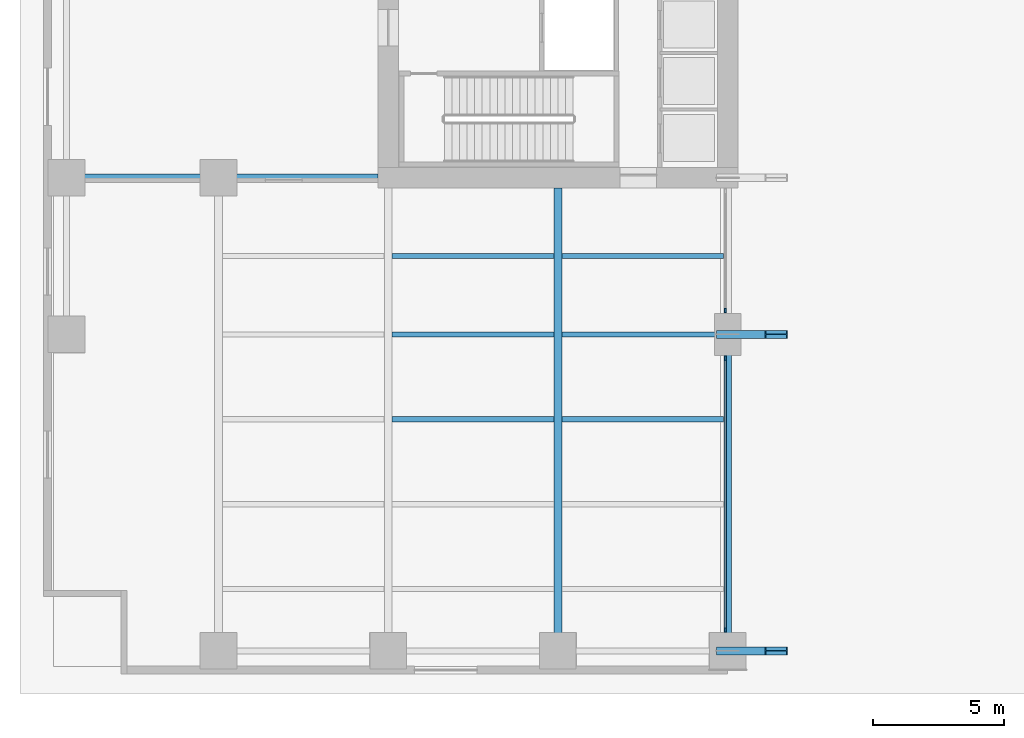
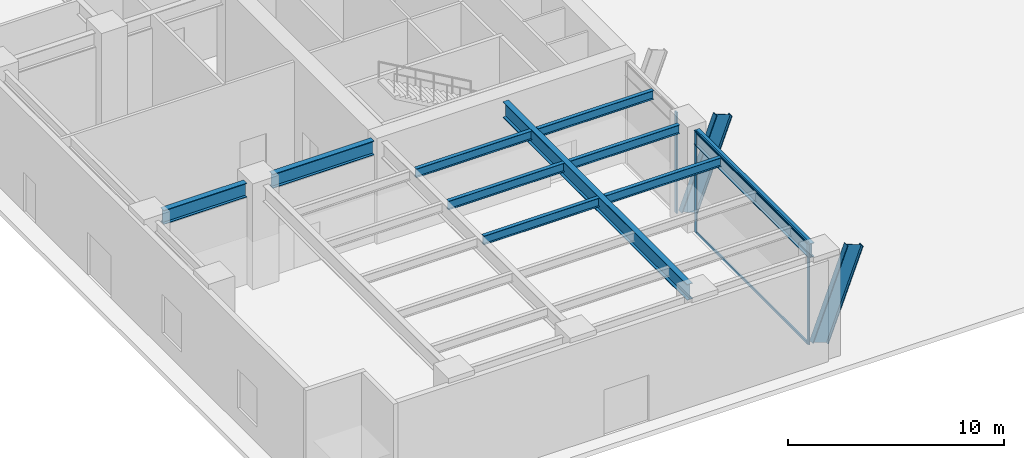
# One storey, part 2 of 20: 10 beams, 7 members, 2 elements without a shape of their own.
"""IFC4 building model written with IfcOpenShell, lengths in metres."""

from ifc_helpers import new_model, si_unit, direction, frame, origin, origin_2d, place, context, subcontext, project, spatial, rectangle, i_section, extrude, material, layer, layer_set, material_profile, profile_set, type_object, element, aggregate, save


model = new_model("IFC4")

# Units and contexts
model_context = context("Model", 3, precision=1e-05, world=origin(), true_north=direction((0.0, 1.0)))
body_context = subcontext(model_context, "Body", "Model", "MODEL_VIEW")
ifc_project = project(units=[si_unit("LENGTHUNIT", "METRE"), si_unit("AREAUNIT", "SQUARE_METRE"), si_unit("VOLUMEUNIT", "CUBIC_METRE"), si_unit("PLANEANGLEUNIT", "RADIAN"), si_unit("MASSUNIT", "GRAM", prefix="KILO")], contexts=[model_context])

# Site, building, storey
site_placement = place(None, origin())
site = spatial("IfcSite", under=ifc_project, at=site_placement, CompositionType="ELEMENT")
building_placement = place(site_placement, origin())
building = spatial("IfcBuilding", under=site, at=building_placement, Name="Putna Gate Headquarters", CompositionType="ELEMENT")
storey_placement = place(building_placement, origin())
storey = spatial("IfcBuildingStorey", under=building, at=storey_placement, Name="L00", CompositionType="ELEMENT", Elevation=0.0)

# Beams
ifc_material_1 = material(Name="Steel S355J2", Category="steel")
ifc_material_profile_1 = material_profile(ifc_material_1, i_section(OverallWidth=0.300048828125, OverallDepth=0.800048828125, WebThickness=0.017578125, FlangeThickness=0.032958984375, at=origin_2d()), Name="Steel S355J2")
ifc_profile_set_1 = profile_set([ifc_material_profile_1], Name="Steel S355J2")
beam_type_1 = type_object("IfcBeamType", Name="BM-GIRD-P-HEB800", PredefinedType="USERDEFINED", material=ifc_profile_set_1)
beam_1_placement = place(storey_placement, frame((1.367919921875, 19.0, 5.320068359375), z_axis=(1.0, 0.0, 0.0), x_axis=(0.0, 1.0, 0.0)))
element("IfcBeam", 1, at=beam_1_placement, inside=storey, type_object=beam_type_1, Name="L00 West Wing Girder Y19-1", ObjectType="GIRDER", PredefinedType="USERDEFINED", context=body_context, shape_type="SweptSolid", body=[
    extrude(i_section(OverallWidth=0.300048828125, OverallDepth=0.800048828125, WebThickness=0.017578125, FlangeThickness=0.032958984375, at=origin_2d()), origin(), (0.0, 0.0, 1.0), 4.444091796875),
])
beam_2_placement = place(storey_placement, frame((7.18798828125, 19.0, 5.320068359375), z_axis=(1.0, 0.0, 0.0), x_axis=(0.0, 1.0, 0.0)))
element("IfcBeam", 2, at=beam_2_placement, inside=storey, type_object=beam_type_1, Name="L00 West Wing Girder Y19-2", ObjectType="GIRDER", PredefinedType="USERDEFINED", context=body_context, shape_type="SweptSolid", body=[
    extrude(i_section(OverallWidth=0.300048828125, OverallDepth=0.800048828125, WebThickness=0.017578125, FlangeThickness=0.032958984375, at=origin_2d()), origin(), (0.0, 0.0, 1.0), 5.427001953125),
])
beam_3_placement = place(storey_placement, frame((26.0, 1.568115234375, 5.320068359375), z_axis=(0.0, 1.0, 0.0), x_axis=(-1.0, 0.0, 0.0)))
element("IfcBeam", 3, at=beam_3_placement, inside=storey, type_object=beam_type_1, Name="L00 South Primary Girder X26-1", ObjectType="GIRDER", PredefinedType="USERDEFINED", context=body_context, shape_type="SweptSolid", body=[
    extrude(i_section(OverallWidth=0.300048828125, OverallDepth=0.800048828125, WebThickness=0.017578125, FlangeThickness=0.032958984375, at=origin_2d()), origin(), (0.0, 0.0, 1.0), 10.643798828125),
])
ifc_material_profile_2 = material_profile(ifc_material_1, i_section(OverallWidth=0.300048828125, OverallDepth=0.89990234375, WebThickness=0.0185546875, FlangeThickness=0.034912109375, at=origin_2d()), Name="Steel S355J2")
ifc_profile_set_2 = profile_set([ifc_material_profile_2], Name="Steel S355J2")
beam_type_2 = type_object("IfcBeamType", Name="BM-SEC-AUD-HEB900", PredefinedType="USERDEFINED", material=ifc_profile_set_2)
beam_4_placement = place(storey_placement, frame((19.5, 1.568115234375, 5.27001953125), z_axis=(0.0, 1.0, 0.0), x_axis=(-1.0, 0.0, 0.0)))
element("IfcBeam", 4, at=beam_4_placement, inside=storey, type_object=beam_type_2, Name="L00 South Primary Girder X19", ObjectType="GIRDER", PredefinedType="USERDEFINED", context=body_context, shape_type="SweptSolid", body=[
    extrude(i_section(OverallWidth=0.300048828125, OverallDepth=0.89990234375, WebThickness=0.0185546875, FlangeThickness=0.034912109375, at=origin_2d()), origin(), (0.0, 0.0, 1.0), 17.046875),
])
ifc_material_profile_3 = material_profile(ifc_material_1, i_section(OverallWidth=0.199951171875, OverallDepth=0.5, WebThickness=0.01025390625, FlangeThickness=0.01611328125, at=origin_2d()), Name="Steel S355J2")
ifc_profile_set_3 = profile_set([ifc_material_profile_3], Name="Steel S355J2")
beam_type_3 = type_object("IfcBeamType", Name="BM-SEC-P-IPE500", PredefinedType="BEAM", material=ifc_profile_set_3)
for number, where, z_axis, x_axis, name in (
    (5, (13.154052734375, 9.75, 5.469970703125), (1.0, 0.0, 0.0), (0.0, 1.0, 0.0), "L00 South Secondary Beam 2"),
    (6, (13.154052734375, 13.0, 5.469970703125), (1.0, 0.0, 0.0), (0.0, 1.0, 0.0), "L00 South Secondary Beam 2"),
    (7, (13.154052734375, 16.0, 5.469970703125), (1.0, 0.0, 0.0), (0.0, 1.0, 0.0), "L00 South Secondary Beam 2"),
    (8, (19.654052734375, 9.75, 5.469970703125), (1.0, 0.0, 0.0), (0.0, 1.0, 0.0), "L00 South Secondary Beam 3"),
):
    element("IfcBeam", number, at=place(storey_placement, frame(where, z_axis=z_axis, x_axis=x_axis)), inside=storey, type_object=beam_type_3, Name=name, PredefinedType="BEAM", context=body_context, shape_type="SweptSolid", body=[
        extrude(i_section(OverallWidth=0.199951171875, OverallDepth=0.5, WebThickness=0.01025390625, FlangeThickness=0.01611328125, at=origin_2d()), origin(), (0.0, 0.0, 1.0), 6.19189453125),
    ])
beam_5_placement = place(storey_placement, frame((19.654052734375, 13.0, 5.469970703125), z_axis=(1.0, 0.0, 0.0), x_axis=(0.0, 1.0, 0.0)))
element("IfcBeam", 9, at=beam_5_placement, inside=storey, type_object=beam_type_3, Name="L00 South Secondary Beam 3", PredefinedType="BEAM", context=body_context, shape_type="SweptSolid", body=[
    extrude(i_section(OverallWidth=0.199951171875, OverallDepth=0.5, WebThickness=0.01025390625, FlangeThickness=0.01611328125, at=origin_2d()), origin(), (0.0, 0.0, 1.0), 5.85791015625),
])
beam_6_placement = place(storey_placement, frame((19.654052734375, 16.0, 5.469970703125), z_axis=(1.0, 0.0, 0.0), x_axis=(0.0, 1.0, 0.0)))
element("IfcBeam", 10, at=beam_6_placement, inside=storey, type_object=beam_type_3, Name="L00 South Secondary Beam 3", PredefinedType="BEAM", context=body_context, shape_type="SweptSolid", body=[
    extrude(i_section(OverallWidth=0.199951171875, OverallDepth=0.5, WebThickness=0.01025390625, FlangeThickness=0.01611328125, at=origin_2d()), origin(), (0.0, 0.0, 1.0), 6.19189453125),
])

# Members
ifc_material_2 = material(Name="Steel S460M", Category="steel")
ifc_material_profile_4 = material_profile(ifc_material_2, i_section(OverallWidth=0.302001953125, OverallDepth=0.909912109375, WebThickness=0.02099609375, FlangeThickness=0.0400390625, at=origin_2d()), Name="Steel S460M")
ifc_profile_set_4 = profile_set([ifc_material_profile_4], Name="Steel S460M")
member_type_1 = type_object("IfcMemberType", Name="MEM-ARCH-CHORD-HEM900", PredefinedType="STRUT", material=ifc_profile_set_4)
member_1_placement = place(storey_placement, frame((26.0, 0.8798828125, 0.550048828125), z_axis=(0.355581261546, 0.0, 0.934645369345), x_axis=(0.0, 1.0, 0.0)))
element("IfcMember", 11, at=member_1_placement, inside=storey, type_object=member_type_1, Name="Giant Parabolic Arch Chord S-1", PredefinedType="STRUT", context=body_context, shape_type="SweptSolid", body=[
    extrude(i_section(OverallWidth=0.302001953125, OverallDepth=0.909912109375, WebThickness=0.02099609375, FlangeThickness=0.0400390625, at=origin_2d()), origin(), (0.0, 0.0, 1.0), 5.222900390625),
])
ifc_material_profile_5 = material_profile(ifc_material_2, i_section(OverallWidth=0.302001953125, OverallDepth=0.909912109375, WebThickness=0.02099609375, FlangeThickness=0.0400390625, at=origin_2d()), Name="Steel S460M")
ifc_profile_set_5 = profile_set([ifc_material_profile_5], Name="Steel S460M")
member_type_2 = type_object("IfcMemberType", Name="MEM-ARCH-CHORD-INT-HEM900", PredefinedType="STRUT", material=ifc_profile_set_5)
member_2_placement = place(storey_placement, frame((26.0, 13.0, 0.550048828125), z_axis=(0.355581261546, 0.0, 0.934645369345), x_axis=(0.0, 1.0, 0.0)))
element("IfcMember", 12, at=member_2_placement, inside=storey, type_object=member_type_2, Name="Giant Parabolic Arch Chord CS-1", PredefinedType="STRUT", context=body_context, shape_type="SweptSolid", body=[
    extrude(i_section(OverallWidth=0.302001953125, OverallDepth=0.909912109375, WebThickness=0.02099609375, FlangeThickness=0.0400390625, at=origin_2d()), origin(), (0.0, 0.0, 1.0), 5.222900390625),
])

# Curtain wall, members
ifc_material_3 = material(Name="Anodised bronze aluminium curtain wall", Category="aluminium")
ifc_layer = layer(ifc_material_3, 0.179931640625)
ifc_layer_set = layer_set([ifc_layer], Name="Anodised bronze aluminium curtain wall")
curtain_wall_type = type_object("IfcCurtainWallType", Name="CW-SYS-ATR", PredefinedType="USERDEFINED", material=ifc_layer_set)
curtain_wall_1_placement = place(storey_placement, origin())
curtain_wall_1 = element("IfcCurtainWall", 13, at=curtain_wall_1_placement, inside=storey, type_object=curtain_wall_type, Name="L00 Giant Arch West Lobby Glazing S", ObjectType="ATRIUM GLAZING", PredefinedType="USERDEFINED")
ifc_material_4 = material(Name="Anodised bronze aluminium EN AW-6060", Category="aluminium")
ifc_material_profile_6 = material_profile(ifc_material_4, rectangle(XDim=0.070068359375, YDim=0.179931640625, at=origin_2d()), Name="Anodised bronze aluminium EN AW-6060")
ifc_profile_set_6 = profile_set([ifc_material_profile_6], Name="Anodised bronze aluminium EN AW-6060")
member_type_3 = type_object("IfcMemberType", Name="MULL-CWM-AT", PredefinedType="MULLION", material=ifc_profile_set_6)
member_3_placement = place(storey_placement, frame((25.89990234375, 1.68505859375, 0.0), z_axis=(0.0, 0.0, 1.0), x_axis=(-1.0, 0.0, 0.0)))
member_3 = element("IfcMember", 14, at=member_3_placement, type_object=member_type_3, Name="CWS-AT mullion 1", PredefinedType="MULLION", context=body_context, shape_type="SweptSolid", body=[
    extrude(rectangle(XDim=0.070068359375, YDim=0.179931640625, at=origin_2d()), origin(), (0.0, 0.0, 1.0), 5.719970703125),
])
member_4_placement = place(storey_placement, frame((25.89990234375, 12.0849609375, 0.0), z_axis=(0.0, 0.0, 1.0), x_axis=(-1.0, 0.0, 0.0)))
member_4 = element("IfcMember", 15, at=member_4_placement, type_object=member_type_3, Name="CWS-AT mullion 2", PredefinedType="MULLION", context=body_context, shape_type="SweptSolid", body=[
    extrude(rectangle(XDim=0.070068359375, YDim=0.179931640625, at=origin_2d()), origin(), (0.0, 0.0, 1.0), 5.719970703125),
])

# Curtain wall, member
curtain_wall_2_placement = place(storey_placement, origin())
curtain_wall_2 = element("IfcCurtainWall", 16, at=curtain_wall_2_placement, inside=storey, type_object=curtain_wall_type, Name="L00 Giant Arch West Lobby Glazing N", ObjectType="ATRIUM GLAZING", PredefinedType="USERDEFINED")
member_5_placement = place(storey_placement, frame((25.89990234375, 13.9150390625, 0.0), z_axis=(0.0, 0.0, 1.0), x_axis=(-1.0, 0.0, 0.0)))
member_5 = element("IfcMember", 17, at=member_5_placement, type_object=member_type_3, Name="CWS-AT mullion 1", PredefinedType="MULLION", context=body_context, shape_type="SweptSolid", body=[
    extrude(rectangle(XDim=0.070068359375, YDim=0.179931640625, at=origin_2d()), origin(), (0.0, 0.0, 1.0), 5.719970703125),
])
aggregate(curtain_wall_2, [member_5])

# Member
ifc_material_profile_7 = material_profile(ifc_material_4, rectangle(XDim=0.070068359375, YDim=0.139892578125, at=origin_2d()), Name="Anodised bronze aluminium EN AW-6060")
ifc_profile_set_7 = profile_set([ifc_material_profile_7], Name="Anodised bronze aluminium EN AW-6060")
member_type_4 = type_object("IfcMemberType", Name="TRAN-CWT-AT", PredefinedType="USERDEFINED", material=ifc_profile_set_7)
member_6_placement = place(storey_placement, frame((25.89990234375, 1.719970703125, 0.034912109375), z_axis=(0.0, 1.0, 0.0), x_axis=(-1.0, 0.0, 0.0)))
member_6 = element("IfcMember", 18, at=member_6_placement, type_object=member_type_4, Name="CWS-AT transom 1.1", ObjectType="TRANSOM", PredefinedType="USERDEFINED", context=body_context, shape_type="SweptSolid", body=[
    extrude(rectangle(XDim=0.070068359375, YDim=0.139892578125, at=origin_2d()), origin(), (0.0, 0.0, 1.0), 10.330078125),
])

member_7_placement = place(storey_placement, frame((25.89990234375, 1.719970703125, 5.68505859375), z_axis=(0.0, 1.0, 0.0), x_axis=(-1.0, 0.0, 0.0)))
member_7 = element("IfcMember", 19, at=member_7_placement, type_object=member_type_4, Name="CWS-AT transom 1.2", ObjectType="TRANSOM", PredefinedType="USERDEFINED", context=body_context, shape_type="SweptSolid", body=[
    extrude(rectangle(XDim=0.070068359375, YDim=0.139892578125, at=origin_2d()), origin(), (0.0, 0.0, 1.0), 10.330078125),
])

aggregate(curtain_wall_1, [member_3, member_4, member_6, member_7])

save(model, "model.ifc")
